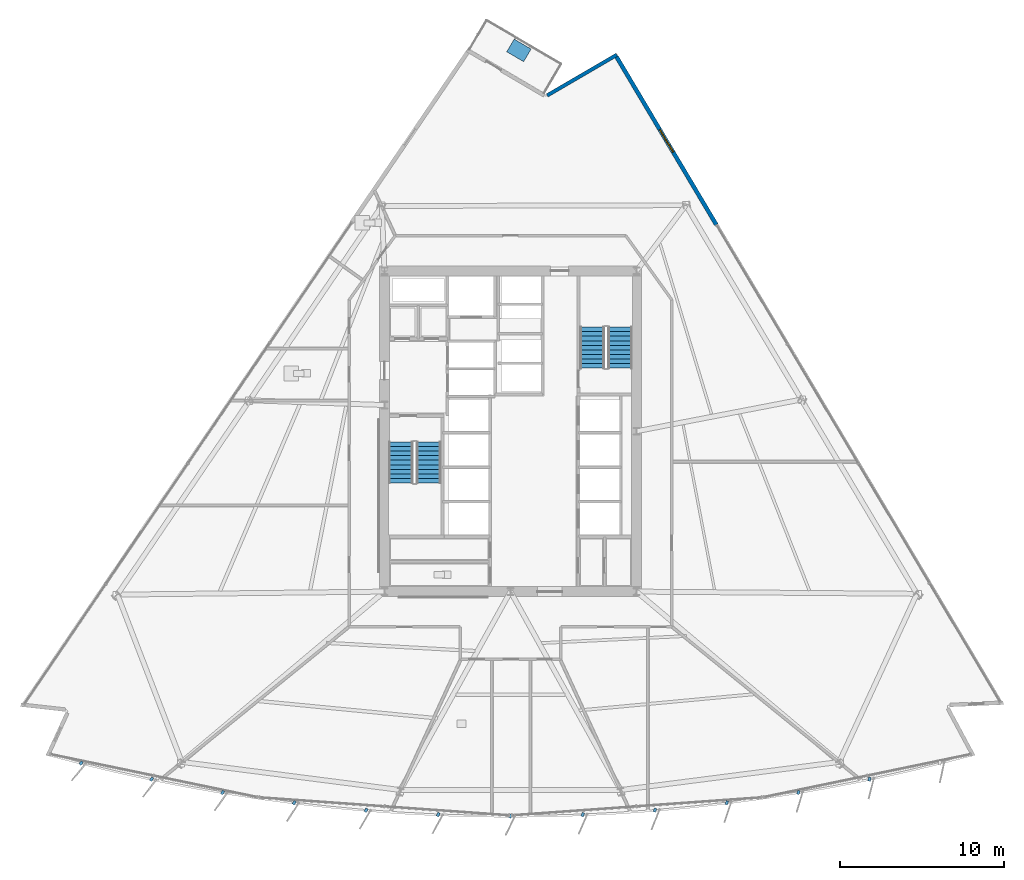
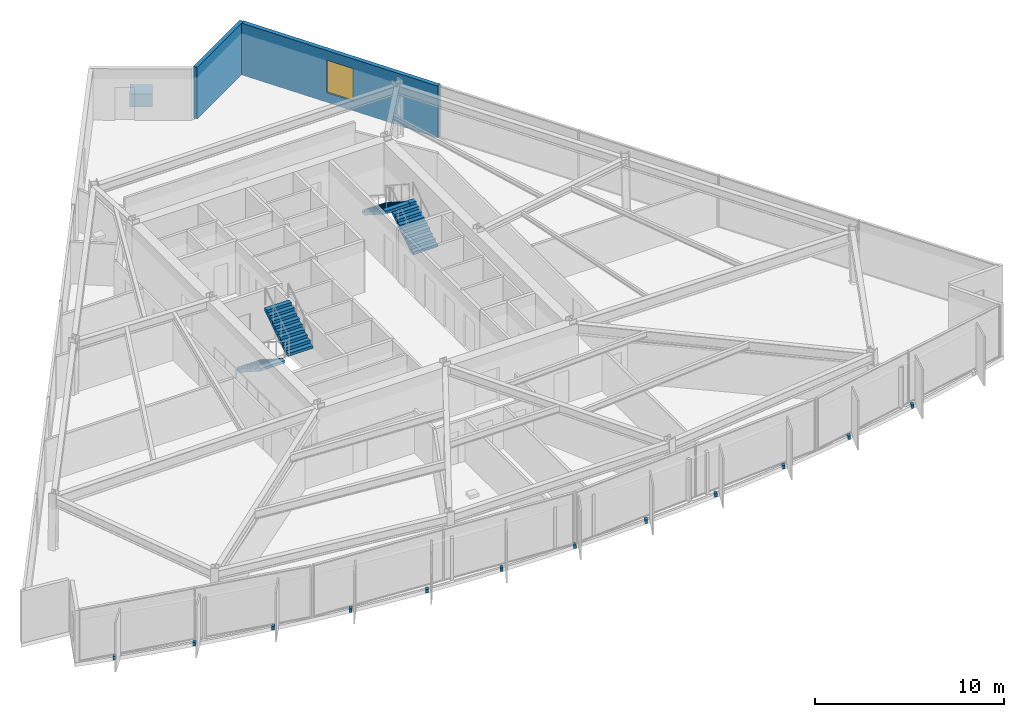
# One storey, part 11 of 18: 13 discrete accessories, 4 stair flights, 2 walls, 1 window, 1 opening, 2 elements without a shape of their own.
"""IFC4 building model written with IfcOpenShell, lengths in metres."""

from ifc_helpers import new_model, si_unit, direction, frame, frame_2d, origin, origin_2d, place, context, subcontext, project, spatial, polyline, rectangle, outline, extrude, material, layer, layer_set, type_object, element, fill, aggregate, save


model = new_model("IFC4")

# Units and contexts
model_context = context("Model", 3, precision=1e-05, world=origin(), true_north=direction((0.0, 1.0)))
body_context = subcontext(model_context, "Body", "Model", "MODEL_VIEW")
ifc_project = project(units=[si_unit("LENGTHUNIT", "METRE"), si_unit("AREAUNIT", "SQUARE_METRE"), si_unit("VOLUMEUNIT", "CUBIC_METRE"), si_unit("PLANEANGLEUNIT", "RADIAN"), si_unit("MASSUNIT", "GRAM", prefix="KILO")], contexts=[model_context])

# Site, building, storey
site_placement = place(None, origin())
site = spatial("IfcSite", under=ifc_project, at=site_placement, CompositionType="ELEMENT")
building_placement = place(site_placement, origin())
building = spatial("IfcBuilding", under=site, at=building_placement, Name="Savorim Split Tower", CompositionType="ELEMENT")
storey_placement = place(building_placement, frame((0.0, 0.0, 37.199951171875)))
storey = spatial("IfcBuildingStorey", under=building, at=storey_placement, Name="L09", CompositionType="ELEMENT", Elevation=37.199951171875)

# Wall
ifc_material_1 = material(Name="Precast concrete C40/50", Category="concrete")
ifc_layer_1 = layer(ifc_material_1, 0.219970703125)
ifc_layer_set_1 = layer_set([ifc_layer_1], Name="WAL-EXT-CRN220")
wall_type_1 = type_object("IfcWallType", Name="WAL-EXT-CRN220", PredefinedType="SOLIDWALL", material=ifc_layer_set_1)
wall_1_placement = place(storey_placement, frame((2.2451171875, 20.9248046875, 0.0), z_axis=(0.0, 0.0, 1.0), x_axis=(0.863967641515, 0.503547330858, 0.0)))
element("IfcWall", 1, at=wall_1_placement, inside=storey, type_object=wall_type_1, Name="L09 Notched Corner Facade Wall NE1", PredefinedType="SOLIDWALL", context=body_context, shape_type="SweptSolid", body=[
    extrude(rectangle(XDim=4.924560546875, YDim=0.219970703125, at=frame_2d((2.46240234375, 0.0))), origin(), (0.0, 0.0, 1.0), 3.35009765625),
])

# Wall, opening, window
ifc_layer_2 = layer(ifc_material_1, 0.25)
ifc_layer_set_2 = layer_set([ifc_layer_2], Name="WAL-EXT-SPN250")
wall_type_2 = type_object("IfcWallType", Name="WAL-EXT-SPN250", PredefinedType="SOLIDWALL", material=ifc_layer_set_2)
wall_2_placement = place(storey_placement, frame((6.483154296875, 23.278076171875, 0.0), z_axis=(0.0, 0.0, 1.0), x_axis=(0.511086421046, -0.859529330635, 0.0)))
wall_2 = element("IfcWall", 2, at=wall_2_placement, inside=storey, type_object=wall_type_2, Name="L09 East Operable Window Pier", PredefinedType="SOLIDWALL", context=body_context, shape_type="SweptSolid", body=[
    extrude(rectangle(XDim=11.93505859375, YDim=0.25, at=frame_2d((5.967529296875, 0.0))), origin(), (0.0, 0.0, 1.0), 3.35009765625),
])
opening_placement = place(wall_2_placement, frame((5.16748046875, 0.0, 0.6201171875)))
opening = element("IfcOpeningElement", 3, at=opening_placement, cuts=wall_2, Name="Opening WN-05", PredefinedType="OPENING", context=body_context, shape_type="SweptSolid", body=[
    extrude(rectangle(XDim=1.60009765625, YDim=2.10009765625, at=frame_2d((0.800048828125, 1.050048828125))), frame((0.0, 0.135009765625, 0.0), z_axis=(0.0, -1.0, 0.0), x_axis=(1.0, 0.0, 0.0)), (0.0, 0.0, 1.0), 0.27001953125),
])
ifc_material_2 = material(Name="Low-E Operable Double Glazing", Category="glass")
window_type = type_object("IfcWindowType", Name="WIN-TWR-1600x2100", PartitioningType="DOUBLE_PANEL_VERTICAL", PredefinedType="WINDOW", material=ifc_material_2)
window_placement = place(opening_placement, origin())
window = element("IfcWindow", 4, at=window_placement, inside=storey, type_object=window_type, Name="L09 East Operable Ventilation Window", OverallHeight=2.10009765625, OverallWidth=1.60009765625, PartitioningType="SINGLE_PANEL", PredefinedType="WINDOW", context=body_context, shape_type="SweptSolid", body=[
    extrude(rectangle(XDim=1.60009765625, YDim=2.10009765625, at=frame_2d((0.800048828125, 1.050048828125))), frame((0.0, 0.030029296875, 0.0), z_axis=(0.0, -1.0, 0.0), x_axis=(1.0, 0.0, 0.0)), (0.0, 0.0, 1.0), 0.06005859375),
])
fill(opening, window)

# Stair, stair flights
ifc_material_3 = material(Name="Concrete C50/60", Category="concrete")
stair_type = type_object("IfcStairType", Name="STR-DOG-3600", PredefinedType="HALF_TURN_STAIR", material=ifc_material_3)
stair_1_placement = place(storey_placement, origin())
stair_1 = element("IfcStair", 5, at=stair_1_placement, inside=storey, type_object=stair_type, Name="L09 Core Protected Exit Stair ST-1", PredefinedType="HALF_TURN_STAIR")
stair_flight_type = type_object("IfcStairFlightType", Name="SFL-DOG-3600", PredefinedType="STRAIGHT", material=ifc_material_3)
stair_flight_1_placement = place(storey_placement, frame((-6.699951171875, -0.25, 0.0), z_axis=(0.0, 0.0, 1.0), x_axis=(0.0, -1.0, 0.0)))
stair_flight_1 = element("IfcStairFlight", 6, at=stair_flight_1_placement, type_object=stair_flight_type, Name="ST-1 flight 1", NumberOfRisers=10, NumberOfTreads=9, PredefinedType="STRAIGHT", RiserHeight=0.18, TreadLength=0.28, context=body_context, shape_type="SweptSolid", body=[
    extrude(outline(polyline([(0.0, 0.0), (0.0, 0.179931640625), (0.280029296875, 0.179931640625), (0.280029296875, 0.360107421875), (0.56005859375, 0.360107421875), (0.56005859375, 0.5400390625), (0.840087890625, 0.5400390625), (0.840087890625, 0.719970703125), (1.1201171875, 0.719970703125), (1.1201171875, 0.89990234375), (1.39990234375, 0.89990234375), (1.39990234375, 1.080078125), (1.679931640625, 1.080078125), (1.679931640625, 1.260009765625), (1.9599609375, 1.260009765625), (1.9599609375, 1.43994140625), (2.239990234375, 1.43994140625), (2.239990234375, 1.6201171875), (2.52001953125, 1.6201171875), (2.52001953125, 1.800048828125), (2.52001953125, 1.44189453125), (0.277099609375, 0.0), (0.0, 0.0)])), frame((0.0, 0.75, 0.0), z_axis=(0.0, -1.0, 0.0), x_axis=(1.0, 0.0, 0.0)), (0.0, 0.0, 1.0), 1.5),
])
stair_flight_2_placement = place(storey_placement, frame((-5.0, -2.77001953125, 1.800048828125), z_axis=(0.0, 0.0, 1.0), x_axis=(0.0, 1.0, 0.0)))
stair_flight_2 = element("IfcStairFlight", 7, at=stair_flight_2_placement, type_object=stair_flight_type, Name="ST-1 flight 2", NumberOfRisers=10, NumberOfTreads=9, PredefinedType="STRAIGHT", RiserHeight=0.18, TreadLength=0.28, context=body_context, shape_type="SweptSolid", body=[
    extrude(outline(polyline([(0.0, 0.0), (0.0, 0.179931640625), (0.280029296875, 0.179931640625), (0.280029296875, 0.360107421875), (0.56005859375, 0.360107421875), (0.56005859375, 0.5400390625), (0.840087890625, 0.5400390625), (0.840087890625, 0.719970703125), (1.1201171875, 0.719970703125), (1.1201171875, 0.89990234375), (1.39990234375, 0.89990234375), (1.39990234375, 1.080078125), (1.679931640625, 1.080078125), (1.679931640625, 1.260009765625), (1.9599609375, 1.260009765625), (1.9599609375, 1.43994140625), (2.239990234375, 1.43994140625), (2.239990234375, 1.6201171875), (2.52001953125, 1.6201171875), (2.52001953125, 1.800048828125), (2.52001953125, 1.44189453125), (0.277099609375, 0.0), (0.0, 0.0)])), frame((0.0, 0.75, 0.0), z_axis=(0.0, -1.0, 0.0), x_axis=(1.0, 0.0, 0.0)), (0.0, 0.0, 1.0), 1.5),
])
aggregate(stair_1, [stair_flight_1, stair_flight_2])

stair_2_placement = place(storey_placement, origin())
stair_2 = element("IfcStair", 8, at=stair_2_placement, inside=storey, type_object=stair_type, Name="L09 Core Protected Exit Stair ST-2", PredefinedType="HALF_TURN_STAIR")
stair_flight_3_placement = place(storey_placement, frame((6.699951171875, 4.25, 0.0), z_axis=(0.0, 0.0, 1.0), x_axis=(0.0, 1.0, 0.0)))
stair_flight_3 = element("IfcStairFlight", 9, at=stair_flight_3_placement, type_object=stair_flight_type, Name="ST-2 flight 1", NumberOfRisers=10, NumberOfTreads=9, PredefinedType="STRAIGHT", RiserHeight=0.18, TreadLength=0.28, context=body_context, shape_type="SweptSolid", body=[
    extrude(outline(polyline([(0.0, 0.0), (0.0, 0.179931640625), (0.280029296875, 0.179931640625), (0.280029296875, 0.360107421875), (0.56005859375, 0.360107421875), (0.56005859375, 0.5400390625), (0.840087890625, 0.5400390625), (0.840087890625, 0.719970703125), (1.1201171875, 0.719970703125), (1.1201171875, 0.89990234375), (1.39990234375, 0.89990234375), (1.39990234375, 1.080078125), (1.679931640625, 1.080078125), (1.679931640625, 1.260009765625), (1.9599609375, 1.260009765625), (1.9599609375, 1.43994140625), (2.239990234375, 1.43994140625), (2.239990234375, 1.6201171875), (2.52001953125, 1.6201171875), (2.52001953125, 1.800048828125), (2.52001953125, 1.44189453125), (0.277099609375, 0.0), (0.0, 0.0)])), frame((0.0, 0.75, 0.0), z_axis=(0.0, -1.0, 0.0), x_axis=(1.0, 0.0, 0.0)), (0.0, 0.0, 1.0), 1.5),
])
stair_flight_4_placement = place(storey_placement, frame((5.0, 6.77001953125, 1.800048828125), z_axis=(0.0, 0.0, 1.0), x_axis=(0.0, -1.0, 0.0)))
stair_flight_4 = element("IfcStairFlight", 10, at=stair_flight_4_placement, type_object=stair_flight_type, Name="ST-2 flight 2", NumberOfRisers=10, NumberOfTreads=9, PredefinedType="STRAIGHT", RiserHeight=0.18, TreadLength=0.28, context=body_context, shape_type="SweptSolid", body=[
    extrude(outline(polyline([(0.0, 0.0), (0.0, 0.179931640625), (0.280029296875, 0.179931640625), (0.280029296875, 0.360107421875), (0.56005859375, 0.360107421875), (0.56005859375, 0.5400390625), (0.840087890625, 0.5400390625), (0.840087890625, 0.719970703125), (1.1201171875, 0.719970703125), (1.1201171875, 0.89990234375), (1.39990234375, 0.89990234375), (1.39990234375, 1.080078125), (1.679931640625, 1.080078125), (1.679931640625, 1.260009765625), (1.9599609375, 1.260009765625), (1.9599609375, 1.43994140625), (2.239990234375, 1.43994140625), (2.239990234375, 1.6201171875), (2.52001953125, 1.6201171875), (2.52001953125, 1.800048828125), (2.52001953125, 1.44189453125), (0.277099609375, 0.0), (0.0, 0.0)])), frame((0.0, 0.75, 0.0), z_axis=(0.0, -1.0, 0.0), x_axis=(1.0, 0.0, 0.0)), (0.0, 0.0, 1.0), 1.5),
])
aggregate(stair_2, [stair_flight_3, stair_flight_4])

# Discrete accessories
ifc_material_4 = material(Name="Steel S355", Category="steel")
discrete_accessory_type_1 = type_object("IfcDiscreteAccessoryType", Name="ACC-BRK-FIN", PredefinedType="BRACKET", material=ifc_material_4)
for number, where, z_axis, x_axis, name in (
    (11, (-26.241943359375, -19.881591796875, -0.18994140625), (0.0, 0.0, 1.0), (-0.643719022682, -0.765261928909, 0.0), "L09 Fin Slab-Edge Cleat Bracket 01"),
    (12, (-21.935791015625, -20.86767578125, -0.18994140625), (0.0, 0.0, 1.0), (-0.611868076908, -0.790959832394, 0.0), "L09 Fin Slab-Edge Cleat Bracket 02"),
    (13, (-17.593017578125, -21.6767578125, -0.18994140625), (0.0, 0.0, 1.0), (-0.578993757737, -0.815331974414, 0.0), "L09 Fin Slab-Edge Cleat Bracket 03"),
    (14, (-13.220458984375, -22.307373046875, -0.18994140625), (0.0, 0.0, 1.0), (-0.545148321708, -0.838339613366, 0.0), "L09 Fin Slab-Edge Cleat Bracket 04"),
    (15, (-8.825927734375, -22.758544921875, -0.18994140625), (0.0, 0.0, 1.0), (-0.510391336723, -0.859942255851, 0.0), "L09 Fin Slab-Edge Cleat Bracket 05"),
    (16, (-4.416748046875, -23.029541015625, -0.18994140625), (0.0, 0.0, 1.0), (-0.474778051978, -0.880105562623, 0.0), "L09 Fin Slab-Edge Cleat Bracket 06"),
    (17, (0.0, -23.1201171875, -0.18994140625), (0.0, 0.0, 1.0), (-0.438371146789, -0.898794046299, 0.0), "L09 Fin Slab-Edge Cleat Bracket 07"),
    (18, (4.416748046875, -23.029541015625, -0.18994140625), (0.0, 0.0, 1.0), (-0.401230091723, -0.915977299662, 0.0), "L09 Fin Slab-Edge Cleat Bracket 08"),
    (19, (8.825927734375, -22.758544921875, -0.18994140625), (0.0, 0.0, 1.0), (-0.363415461732, -0.931627179817, 0.0), "L09 Fin Slab-Edge Cleat Bracket 09"),
    (20, (13.220458984375, -22.307373046875, -0.18994140625), (0.0, 0.0, 1.0), (-0.324993810493, -0.945716143005, 0.0), "L09 Fin Slab-Edge Cleat Bracket 10"),
    (21, (17.593017578125, -21.6767578125, -0.18994140625), (0.0, 0.0, 1.0), (-0.286026212504, -0.958221793616, 0.0), "L09 Fin Slab-Edge Cleat Bracket 11"),
    (22, (21.935791015625, -20.86767578125, -0.18994140625), (0.0, 0.0, 1.0), (-0.246581250663, -0.969122121727, 0.0), "L09 Fin Slab-Edge Cleat Bracket 12"),
):
    element("IfcDiscreteAccessory", number, at=place(storey_placement, frame(where, z_axis=z_axis, x_axis=x_axis)), inside=storey, type_object=discrete_accessory_type_1, Name=name, PredefinedType="BRACKET", context=body_context, shape_type="SweptSolid", body=[
        extrude(rectangle(XDim=0.239990234375, YDim=0.159912109375, at=origin_2d()), origin(), (0.0, 0.0, 1.0), 0.219970703125),
    ])
ifc_material_5 = material(Name="Architectural Precast Planter Concrete C40/50", Category="concrete")
discrete_accessory_type_2 = type_object("IfcDiscreteAccessoryType", Name="ACC-PLN-TREE", PredefinedType="USERDEFINED", material=ifc_material_5)
discrete_accessory_placement = place(storey_placement, frame((0.515625, 23.674072265625, 0.0), z_axis=(0.0, 0.0, 1.0), x_axis=(-0.862125693233, 0.506694473098, 0.0)))
element("IfcDiscreteAccessory", 23, at=discrete_accessory_placement, inside=storey, type_object=discrete_accessory_type_2, Name="L09 Balcony Precast Tree Planter N", ObjectType="PLANTER", PredefinedType="USERDEFINED", context=body_context, shape_type="SweptSolid", body=[
    extrude(rectangle(XDim=1.199951171875, YDim=0.89990234375, at=origin_2d()), origin(), (0.0, 0.0, 1.0), 0.85009765625),
])

save(model, "model.ifc")
